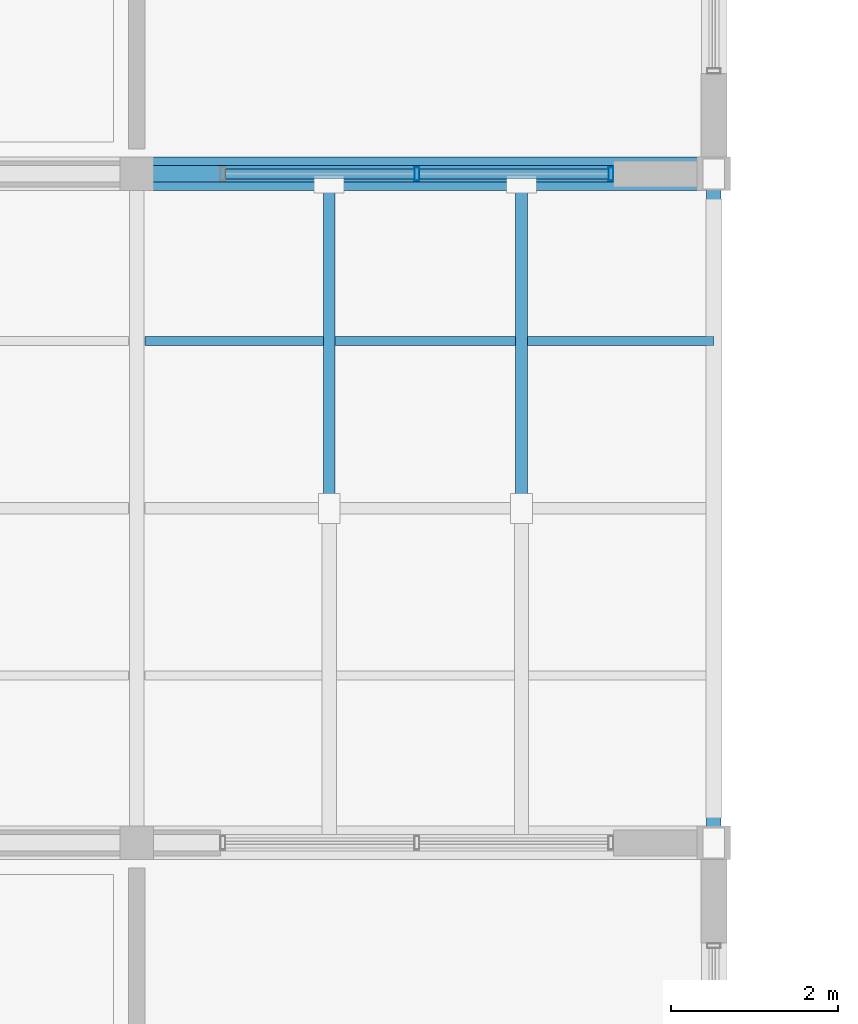
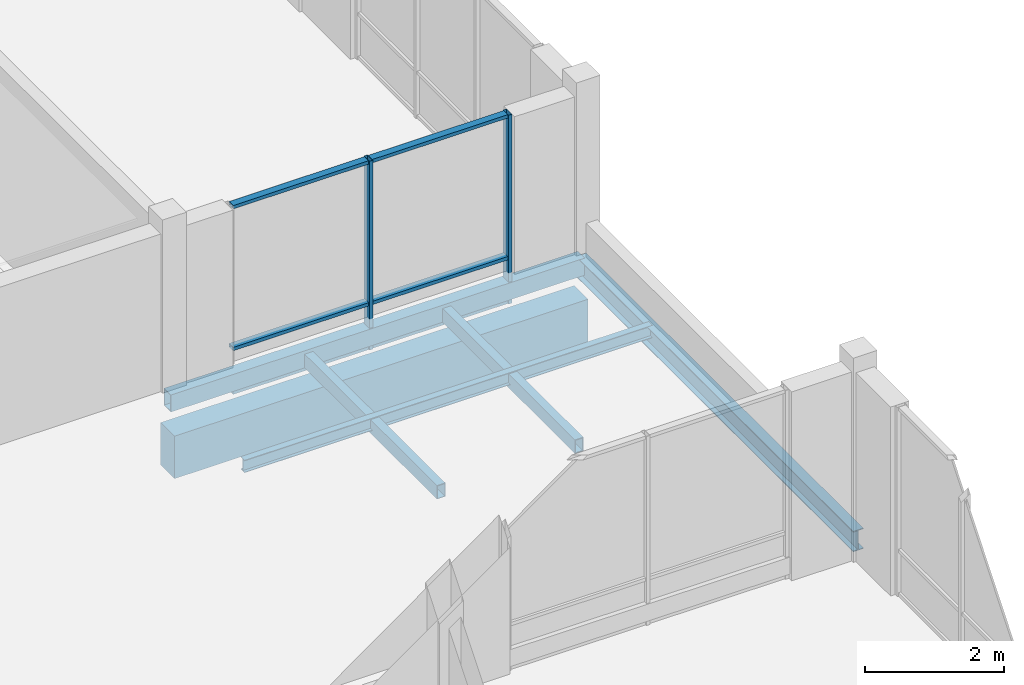
# One storey, part 33 of 189: 10 members, 4 beams, 1 element without a shape of its own.
"""IFC4 building model written with IfcOpenShell, lengths in metres."""

from ifc_helpers import new_model, si_unit, direction, frame, origin, origin_2d, place, context, subcontext, project, spatial, rectangle, hollow_rectangle, i_section, extrude, material, material_profile, profile_set, type_object, element, aggregate, save


model = new_model("IFC4")

# Units and contexts
model_context = context("Model", 3, precision=1e-05, world=origin(), true_north=direction((0.0, 1.0)))
body_context = subcontext(model_context, "Body", "Model", "MODEL_VIEW")
ifc_project = project(units=[si_unit("LENGTHUNIT", "METRE"), si_unit("AREAUNIT", "SQUARE_METRE"), si_unit("VOLUMEUNIT", "CUBIC_METRE"), si_unit("PLANEANGLEUNIT", "RADIAN"), si_unit("MASSUNIT", "GRAM", prefix="KILO")], contexts=[model_context])

# Site, building, storey
site_placement = place(None, origin())
site = spatial("IfcSite", under=ifc_project, at=site_placement, CompositionType="ELEMENT")
building_placement = place(site_placement, origin())
building = spatial("IfcBuilding", under=site, at=building_placement, Name="Zavelmont Quarter", CompositionType="ELEMENT")
storey_placement = place(building_placement, frame((0.0, 0.0, 4.39990234375)))
storey = spatial("IfcBuildingStorey", under=building, at=storey_placement, Name="L01", CompositionType="ELEMENT", Elevation=4.39990234375)

# Beams
ifc_material_1 = material(Name="Concrete C40/50", Category="concrete")
ifc_material_profile_1 = material_profile(ifc_material_1, rectangle(XDim=0.39990234375, YDim=0.75, at=origin_2d()), Name="RC400X750")
ifc_profile_set_1 = profile_set([ifc_material_profile_1], Name="Concrete C40/50")
beam_type_1 = type_object("IfcBeamType", Name="BM05", PredefinedType="BEAM", material=ifc_profile_set_1)
beam_1_placement = place(storey_placement, frame((13.800048828125, 62.0, -0.65478515625), z_axis=(1.0, 0.0, 0.0), x_axis=(0.0, 1.0, 0.0)))
element("IfcBeam", 1, at=beam_1_placement, inside=storey, type_object=beam_type_1, Name="L01 beam BM05 3/K to 4/K", PredefinedType="BEAM", context=body_context, shape_type="SweptSolid", body=[
    extrude(rectangle(XDim=0.39990234375, YDim=0.75, at=origin_2d()), origin(), (0.0, 0.0, 1.0), 6.89990234375),
])
ifc_material_2 = material(Name="Steel S355", Category="steel")
ifc_material_profile_2 = material_profile(ifc_material_2, i_section(OverallWidth=0.169921875, OverallDepth=0.360107421875, WebThickness=0.008056640625, FlangeThickness=0.0126953125, at=origin_2d()), Name="IPE 360")
ifc_profile_set_2 = profile_set([ifc_material_profile_2], Name="Steel S355")
beam_type_2 = type_object("IfcBeamType", Name="BM13", PredefinedType="BEAM", material=ifc_profile_set_2)
beam_2_placement = place(storey_placement, frame((20.699951171875, 54.0, 0.205078125), z_axis=(0.0, 1.0, 0.0), x_axis=(-1.0, 0.0, 0.0)))
element("IfcBeam", 2, at=beam_2_placement, inside=storey, type_object=beam_type_2, Name="L01 beam BM13 4/J to 4/K", PredefinedType="BEAM", context=body_context, shape_type="SweptSolid", body=[
    extrude(i_section(OverallWidth=0.169921875, OverallDepth=0.360107421875, WebThickness=0.008056640625, FlangeThickness=0.0126953125, at=origin_2d()), origin(), (0.0, 0.0, 1.0), 8.0),
])
ifc_material_profile_3 = material_profile(ifc_material_2, i_section(OverallWidth=0.110107421875, OverallDepth=0.219970703125, WebThickness=0.005859375, FlangeThickness=0.00927734375, at=origin_2d()), Name="IPE 220")
ifc_profile_set_3 = profile_set([ifc_material_profile_3], Name="Steel S355")
beam_type_3 = type_object("IfcBeamType", Name="BM15", PredefinedType="JOIST", material=ifc_profile_set_3)
beam_3_placement = place(storey_placement, frame((13.89990234375, 60.0, 0.275146484375), z_axis=(1.0, 0.0, 0.0), x_axis=(0.0, 1.0, 0.0)))
element("IfcBeam", 3, at=beam_3_placement, inside=storey, type_object=beam_type_3, Name="L01 beam BM15 3/K to 4/K", PredefinedType="JOIST", context=body_context, shape_type="SweptSolid", body=[
    extrude(i_section(OverallWidth=0.110107421875, OverallDepth=0.219970703125, WebThickness=0.005859375, FlangeThickness=0.00927734375, at=origin_2d()), origin(), (0.0, 0.0, 1.0), 6.800048828125),
])
ifc_material_profile_4 = material_profile(ifc_material_2, hollow_rectangle(XDim=0.199951171875, YDim=0.300048828125, WallThickness=0.012451171875, at=origin_2d()), Name="RHS 300X200X12.5")
ifc_profile_set_4 = profile_set([ifc_material_profile_4], Name="Steel S355")
beam_type_4 = type_object("IfcBeamType", Name="BM16", PredefinedType="BEAM", material=ifc_profile_set_4)
beam_4_placement = place(storey_placement, frame((13.800048828125, 62.0, 0.235107421875), z_axis=(1.0, 0.0, 0.0), x_axis=(0.0, 1.0, 0.0)))
element("IfcBeam", 4, at=beam_4_placement, inside=storey, type_object=beam_type_4, Name="L01 beam BM16 3/K to 4/K", PredefinedType="BEAM", context=body_context, shape_type="SweptSolid", body=[
    extrude(hollow_rectangle(XDim=0.199951171875, YDim=0.300048828125, WallThickness=0.012451171875, at=origin_2d()), origin(), (0.0, 0.0, 1.0), 6.89990234375),
])

# Members
ifc_material_profile_5 = material_profile(ifc_material_2, hollow_rectangle(XDim=0.139892578125, YDim=0.239990234375, WallThickness=0.010009765625, at=origin_2d()), Name="RHS 240X140X10")
ifc_profile_set_5 = profile_set([ifc_material_profile_5], Name="Steel S355")
member_type_1 = type_object("IfcMemberType", Name="CLM1", PredefinedType="CHORD", material=ifc_profile_set_5)
for number, where, z_axis, x_axis, name in (
    (5, (16.10009765625, 58.080078125, 0.205078125), (0.0, 1.0, 0.0), (-1.0, 0.0, 0.0), "L01 member CLM1 3/K to 3/K"),
    (6, (18.39990234375, 58.080078125, 0.205078125), (0.0, 1.0, 0.0), (-1.0, 0.0, 0.0), "L01 member CLM1 4/K to 4/K"),
):
    element("IfcMember", number, at=place(storey_placement, frame(where, z_axis=z_axis, x_axis=x_axis)), inside=storey, type_object=member_type_1, Name=name, PredefinedType="CHORD", context=body_context, shape_type="SweptSolid", body=[
        extrude(hollow_rectangle(XDim=0.139892578125, YDim=0.239990234375, WallThickness=0.010009765625, at=origin_2d()), origin(), (0.0, 0.0, 1.0), 3.81982421875),
    ])

# Curtain wall, members
ifc_material_3 = material(Name="Thermally broken aluminium and double low-E safety glazing", Category="aluminium")
curtain_wall_type = type_object("IfcCurtainWallType", Name="CW-470X333", PredefinedType="NOTDEFINED", material=ifc_material_3)
curtain_wall_placement = place(storey_placement, origin())
curtain_wall = element("IfcCurtainWall", 7, at=curtain_wall_placement, inside=storey, type_object=curtain_wall_type, Name="L01 unitised curtain wall CW-470X333", PredefinedType="NOTDEFINED")
ifc_material_4 = material(Name="Powder-coated aluminium EN AW-6063-T6", Category="aluminium")
ifc_material_profile_6 = material_profile(ifc_material_4, hollow_rectangle(XDim=0.06005859375, YDim=0.159912109375, WallThickness=0.00390625, at=origin_2d()), Name="CWM60X160")
ifc_profile_set_6 = profile_set([ifc_material_profile_6], Name="Powder-coated aluminium EN AW-6063-T6")
member_type_2 = type_object("IfcMemberType", Name="CWM01", PredefinedType="MULLION", material=ifc_profile_set_6)
member_1_placement = place(storey_placement, frame((17.14990234375, 62.0, 0.0), z_axis=(0.0, 0.0, 1.0), x_axis=(1.0, 0.0, 0.0)))
member_1 = element("IfcMember", 8, at=member_1_placement, type_object=member_type_2, Name="CW-470X333 mullion 2", PredefinedType="MULLION", context=body_context, shape_type="SweptSolid", body=[
    extrude(hollow_rectangle(XDim=0.06005859375, YDim=0.159912109375, WallThickness=0.00390625, at=origin_2d()), origin(), (0.0, 0.0, 1.0), 3.330078125),
])
member_2_placement = place(storey_placement, frame((19.469970703125, 62.0, 0.0), z_axis=(0.0, 0.0, 1.0), x_axis=(1.0, 0.0, 0.0)))
member_2 = element("IfcMember", 9, at=member_2_placement, type_object=member_type_2, Name="CW-470X333 mullion 3", PredefinedType="MULLION", context=body_context, shape_type="SweptSolid", body=[
    extrude(hollow_rectangle(XDim=0.06005859375, YDim=0.159912109375, WallThickness=0.00390625, at=origin_2d()), origin(), (0.0, 0.0, 1.0), 3.330078125),
])
ifc_material_profile_7 = material_profile(ifc_material_4, hollow_rectangle(XDim=0.1201171875, YDim=0.06005859375, WallThickness=0.00390625, at=origin_2d()), Name="CWT60X120")
ifc_profile_set_7 = profile_set([ifc_material_profile_7], Name="Powder-coated aluminium EN AW-6063-T6")
member_type_3 = type_object("IfcMemberType", Name="CWT01", PredefinedType="NOTDEFINED", material=ifc_profile_set_7)
member_3_placement = place(storey_placement, frame((14.860107421875, 62.0, 0.030029296875), z_axis=(1.0, 0.0, 0.0), x_axis=(0.0, 1.0, 0.0)))
member_3 = element("IfcMember", 10, at=member_3_placement, type_object=member_type_3, Name="CW-470X333 transom 1.1", ObjectType="TRANSOM", PredefinedType="USERDEFINED", context=body_context, shape_type="SweptSolid", body=[
    extrude(hollow_rectangle(XDim=0.1201171875, YDim=0.06005859375, WallThickness=0.00390625, at=origin_2d()), origin(), (0.0, 0.0, 1.0), 2.260009765625),
])
member_4_placement = place(storey_placement, frame((14.860107421875, 62.0, 0.799072265625), z_axis=(1.0, 0.0, 0.0), x_axis=(0.0, 1.0, 0.0)))
member_4 = element("IfcMember", 11, at=member_4_placement, type_object=member_type_3, Name="CW-470X333 transom 1.2", ObjectType="TRANSOM", PredefinedType="USERDEFINED", context=body_context, shape_type="SweptSolid", body=[
    extrude(hollow_rectangle(XDim=0.1201171875, YDim=0.06005859375, WallThickness=0.00390625, at=origin_2d()), origin(), (0.0, 0.0, 1.0), 2.260009765625),
])
member_5_placement = place(storey_placement, frame((14.860107421875, 62.0, 3.300048828125), z_axis=(1.0, 0.0, 0.0), x_axis=(0.0, 1.0, 0.0)))
member_5 = element("IfcMember", 12, at=member_5_placement, type_object=member_type_3, Name="CW-470X333 transom 1.3", ObjectType="TRANSOM", PredefinedType="USERDEFINED", context=body_context, shape_type="SweptSolid", body=[
    extrude(hollow_rectangle(XDim=0.1201171875, YDim=0.06005859375, WallThickness=0.00390625, at=origin_2d()), origin(), (0.0, 0.0, 1.0), 2.260009765625),
])
member_6_placement = place(storey_placement, frame((17.179931640625, 62.0, 0.030029296875), z_axis=(1.0, 0.0, 0.0), x_axis=(0.0, 1.0, 0.0)))
member_6 = element("IfcMember", 13, at=member_6_placement, type_object=member_type_3, Name="CW-470X333 transom 2.1", ObjectType="TRANSOM", PredefinedType="USERDEFINED", context=body_context, shape_type="SweptSolid", body=[
    extrude(hollow_rectangle(XDim=0.1201171875, YDim=0.06005859375, WallThickness=0.00390625, at=origin_2d()), origin(), (0.0, 0.0, 1.0), 2.260009765625),
])
member_7_placement = place(storey_placement, frame((17.179931640625, 62.0, 0.799072265625), z_axis=(1.0, 0.0, 0.0), x_axis=(0.0, 1.0, 0.0)))
member_7 = element("IfcMember", 14, at=member_7_placement, type_object=member_type_3, Name="CW-470X333 transom 2.2", ObjectType="TRANSOM", PredefinedType="USERDEFINED", context=body_context, shape_type="SweptSolid", body=[
    extrude(hollow_rectangle(XDim=0.1201171875, YDim=0.06005859375, WallThickness=0.00390625, at=origin_2d()), origin(), (0.0, 0.0, 1.0), 2.260009765625),
])
member_8_placement = place(storey_placement, frame((17.179931640625, 62.0, 3.300048828125), z_axis=(1.0, 0.0, 0.0), x_axis=(0.0, 1.0, 0.0)))
member_8 = element("IfcMember", 15, at=member_8_placement, type_object=member_type_3, Name="CW-470X333 transom 2.3", ObjectType="TRANSOM", PredefinedType="USERDEFINED", context=body_context, shape_type="SweptSolid", body=[
    extrude(hollow_rectangle(XDim=0.1201171875, YDim=0.06005859375, WallThickness=0.00390625, at=origin_2d()), origin(), (0.0, 0.0, 1.0), 2.260009765625),
])
aggregate(curtain_wall, [member_1, member_2, member_3, member_4, member_5, member_6, member_7, member_8])

save(model, "model.ifc")
